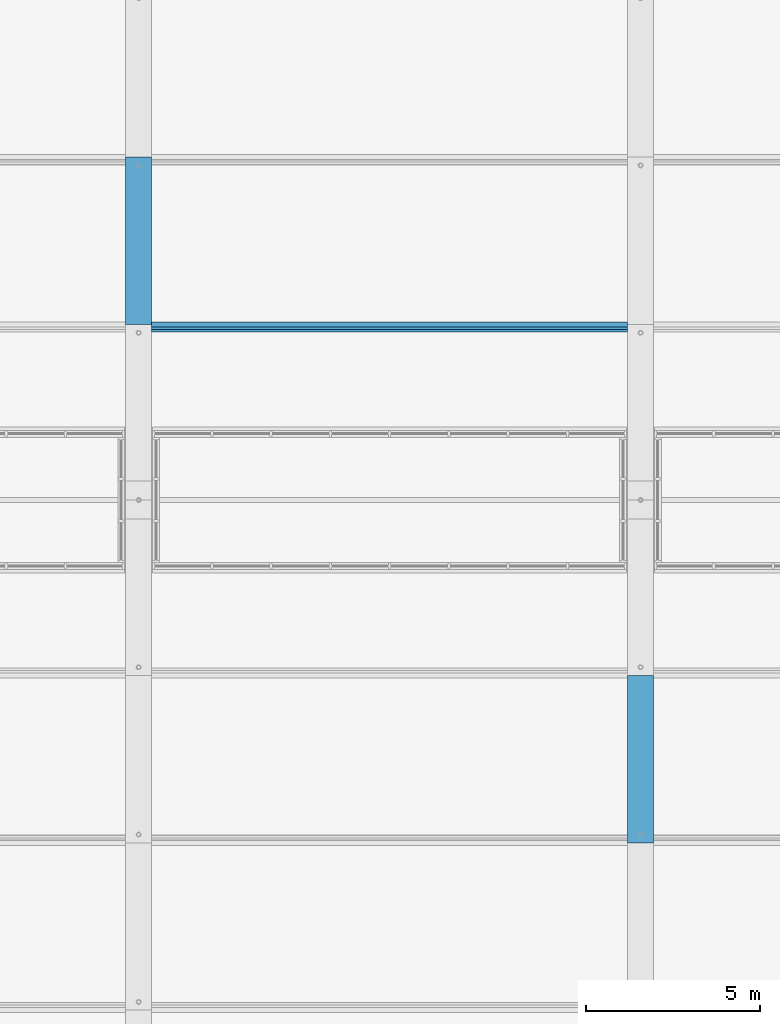
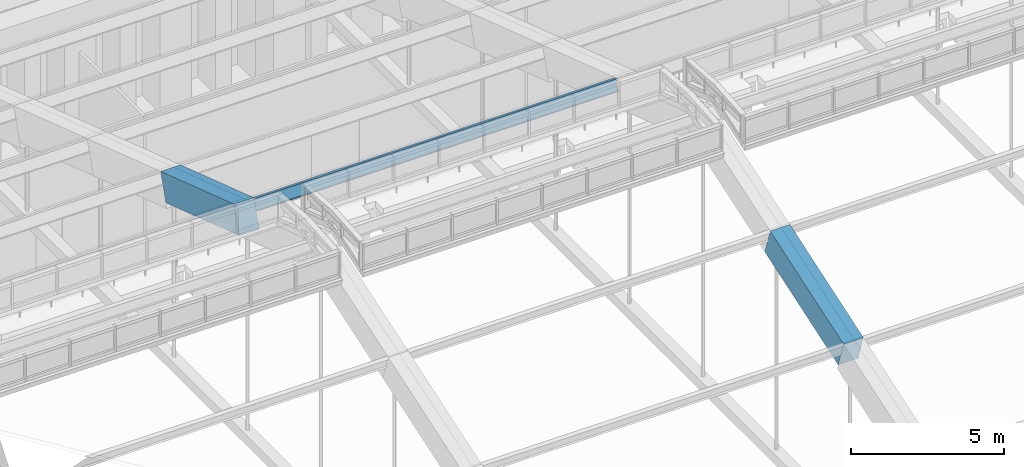
# One storey, part 56 of 149: 2 beams, 1 member.
"""IFC4 building model written with IfcOpenShell, lengths in metres."""

from ifc_helpers import new_model, si_unit, direction, frame, origin, origin_2d, place, context, subcontext, project, spatial, rectangle, i_section, extrude, material, material_profile, profile_set, type_object, element, save


model = new_model("IFC4")

# Units and contexts
model_context = context("Model", 3, precision=1e-05, world=origin(), true_north=direction((0.0, 1.0)))
body_context = subcontext(model_context, "Body", "Model", "MODEL_VIEW")
ifc_project = project(units=[si_unit("LENGTHUNIT", "METRE"), si_unit("AREAUNIT", "SQUARE_METRE"), si_unit("VOLUMEUNIT", "CUBIC_METRE"), si_unit("PLANEANGLEUNIT", "RADIAN"), si_unit("MASSUNIT", "GRAM", prefix="KILO")], contexts=[model_context])

# Site, building, storey
site_placement = place(None, origin())
site = spatial("IfcSite", under=ifc_project, at=site_placement, CompositionType="ELEMENT")
building_placement = place(site_placement, origin())
building = spatial("IfcBuilding", under=site, at=building_placement, Name="Alderwick Market Hall", CompositionType="ELEMENT")
storey_placement = place(building_placement, frame((0.0, 0.0, 9.60009765625)))
storey = spatial("IfcBuildingStorey", under=building, at=storey_placement, Name="L01", CompositionType="ELEMENT", Elevation=9.60009765625)

# Beams
ifc_material_1 = material(Name="Concrete 5000 psi (f'c 35 MPa)", Category="concrete")
ifc_material_profile_1 = material_profile(ifc_material_1, rectangle(XDim=0.75, YDim=1.10009765625, at=origin_2d()), Name="RC 750x1100")
ifc_profile_set_1 = profile_set([ifc_material_profile_1], Name="Concrete 5000 psi (f'c 35 MPa)")
beam_type = type_object("IfcBeamType", Name="R Arch Rib Crown 750x1100", PredefinedType="BEAM", material=ifc_profile_set_1)
beam_1_placement = place(storey_placement, frame((93.60009765625, 84.063232421875, 14.78955078125), z_axis=(0.0, 0.948692948114, -0.316198814353), x_axis=(-1.0, 0.0, 0.0)))
element("IfcBeam", 1, at=beam_1_placement, inside=storey, type_object=beam_type, Name="Arch rib 4 chord 8", PredefinedType="BEAM", context=body_context, shape_type="SweptSolid", body=[
    extrude(rectangle(XDim=0.75, YDim=1.10009765625, at=origin_2d()), origin(), (0.0, 0.0, 1.0), 5.0595703125),
])
beam_2_placement = place(storey_placement, frame((108.0, 69.536865234375, 13.189697265625), z_axis=(0.0, 0.948688123414, 0.316213289559), x_axis=(-1.0, 0.0, 0.0)))
element("IfcBeam", 2, at=beam_2_placement, inside=storey, type_object=beam_type, Name="Arch rib 5 chord 5", PredefinedType="BEAM", context=body_context, shape_type="SweptSolid", body=[
    extrude(rectangle(XDim=0.75, YDim=1.10009765625, at=origin_2d()), origin(), (0.0, 0.0, 1.0), 5.059326171875),
])

# Member
ifc_material_2 = material(Name="Steel ASTM A992 Grade 50", Category="steel")
ifc_material_profile_2 = material_profile(ifc_material_2, i_section(OverallWidth=0.153076171875, OverallDepth=0.455078125, WebThickness=0.008056640625, FlangeThickness=0.01318359375, at=origin_2d()), Name="W18x40")
ifc_profile_set_2 = profile_set([ifc_material_profile_2], Name="Steel ASTM A992 Grade 50")
member_type = type_object("IfcMemberType", Name="R Purlin W18x40", PredefinedType="PURLIN", material=ifc_profile_set_2)
member_placement = place(storey_placement, frame((93.97509765625, 84.163330078125, 15.08984375), z_axis=(1.0, 0.0, 0.0), x_axis=(0.0, 0.948683297073, -0.316227768949)))
element("IfcMember", 3, at=member_placement, inside=storey, type_object=member_type, Name="Roof purlin 8.4", PredefinedType="PURLIN", context=body_context, shape_type="SweptSolid", body=[
    extrude(i_section(OverallWidth=0.153076171875, OverallDepth=0.455078125, WebThickness=0.008056640625, FlangeThickness=0.01318359375, at=origin_2d()), origin(), (0.0, 0.0, 1.0), 13.64990234375),
])

save(model, "model.ifc")
